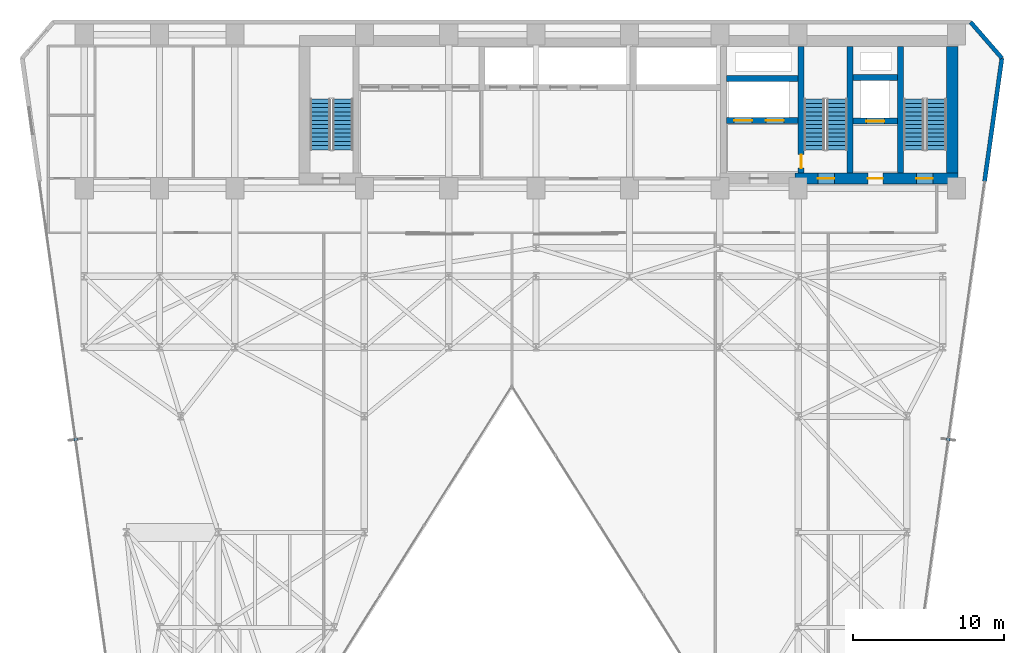
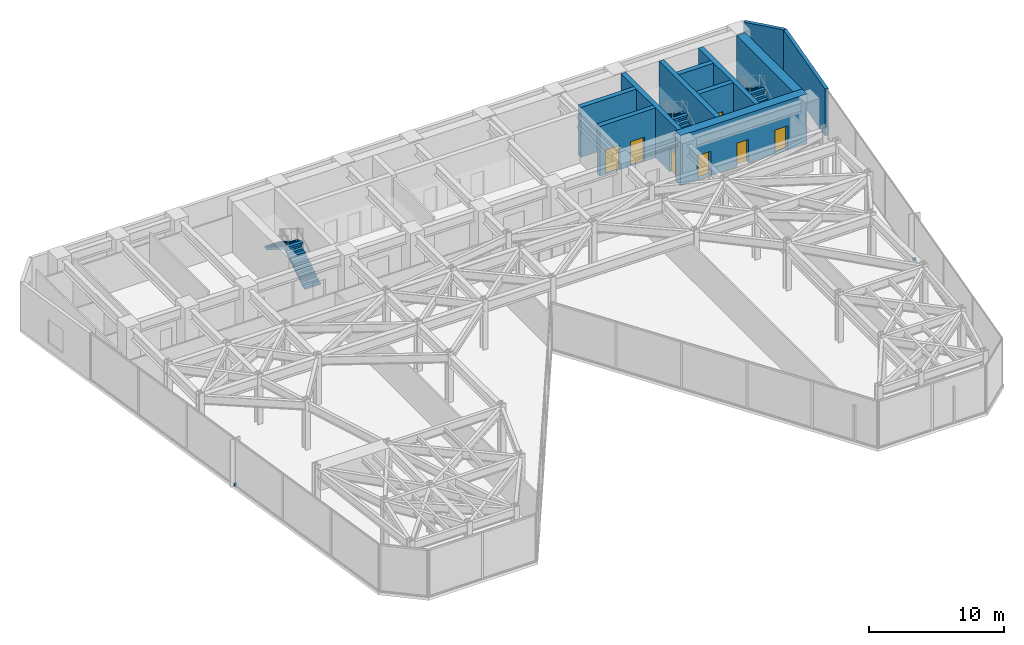
# One storey, part 25 of 28: 11 walls, 7 doors, 6 stair flights, 2 discrete accessories, 7 openings, 3 elements without a shape of their own.
"""IFC4 building model written with IfcOpenShell, lengths in metres."""

from ifc_helpers import new_model, si_unit, direction, frame, frame_2d, origin, origin_2d, place, context, subcontext, project, spatial, polyline, rectangle, outline, extrude, material, layer, layer_set, type_object, element, fill, aggregate, save


model = new_model("IFC4")

# Units and contexts
model_context = context("Model", 3, precision=1e-05, world=origin(), true_north=direction((0.0, 1.0)))
body_context = subcontext(model_context, "Body", "Model", "MODEL_VIEW")
ifc_project = project(units=[si_unit("LENGTHUNIT", "METRE"), si_unit("AREAUNIT", "SQUARE_METRE"), si_unit("VOLUMEUNIT", "CUBIC_METRE"), si_unit("PLANEANGLEUNIT", "RADIAN"), si_unit("MASSUNIT", "GRAM", prefix="KILO")], contexts=[model_context])

# Site, building, storey
site_placement = place(None, origin())
site = spatial("IfcSite", under=ifc_project, at=site_placement, CompositionType="ELEMENT")
building_placement = place(site_placement, origin())
building = spatial("IfcBuilding", under=site, at=building_placement, Name="Kravanh Interchange Tower", CompositionType="ELEMENT")
storey_placement = place(building_placement, frame((0.0, 0.0, 91.5)))
storey = spatial("IfcBuildingStorey", under=building, at=storey_placement, Name="L21", CompositionType="ELEMENT", Elevation=91.5)

# Walls
ifc_material_1 = material(Name="Concrete C80/95", Category="concrete")
ifc_layer_1 = layer(ifc_material_1, 0.39990234375)
ifc_layer_set_1 = layer_set([ifc_layer_1], Name="Core Shear Wall Concrete C80/95 400mm")
wall_type_1 = type_object("IfcWallType", Name="Core Shear Wall Concrete C80/95 400mm", PredefinedType="SHEAR", material=ifc_layer_set_1)
for number, where, z_axis, x_axis, name in (
    (1, (62.800048828125, 38.375, 0.0), (0.0, 0.0, 1.0), (0.0, 1.0, 0.0), "L21 Stair ST1 West Shear Wall"),
    (2, (59.449951171875, 38.375, 0.0), (0.0, 0.0, 1.0), (0.0, 1.0, 0.0), "L21 Stair ST2 East Shear Wall"),
):
    element("IfcWall", number, at=place(storey_placement, frame(where, z_axis=z_axis, x_axis=x_axis)), inside=storey, type_object=wall_type_1, Name=name, PredefinedType="SHEAR", context=body_context, shape_type="SweptSolid", body=[
        extrude(rectangle(XDim=8.375, YDim=0.39990234375, at=frame_2d((4.1875, 0.0))), origin(), (0.0, 0.0, 1.0), 4.5),
    ])

# Wall, opening, door
wall_1_placement = place(storey_placement, frame((56.199951171875, 38.375, 0.0), z_axis=(0.0, 0.0, 1.0), x_axis=(0.0, 1.0, 0.0)))
wall_1 = element("IfcWall", 3, at=wall_1_placement, inside=storey, type_object=wall_type_1, Name="L21 Stair ST2 West Shear Wall", PredefinedType="SHEAR", context=body_context, shape_type="SweptSolid", body=[
    extrude(rectangle(XDim=8.375, YDim=0.39990234375, at=frame_2d((4.1875, 0.0))), origin(), (0.0, 0.0, 1.0), 4.5),
])
opening_1_placement = place(wall_1_placement, frame((0.304931640625, 0.0, 0.0)))
opening_1 = element("IfcOpeningElement", 4, at=opening_1_placement, cuts=wall_1, Name="Opening D-STAIR-90", PredefinedType="OPENING", context=body_context, shape_type="SweptSolid", body=[
    extrude(rectangle(XDim=0.89990234375, YDim=2.14990234375, at=frame_2d((0.449951171875, 1.074951171875))), frame((0.0, 0.2099609375, 0.0), z_axis=(0.0, -1.0, 0.0), x_axis=(1.0, 0.0, 0.0)), (0.0, 0.0, 1.0), 0.419921875),
])
ifc_material_2 = material(Name="Structural Steel S355", Category="steel")
door_type_1 = type_object("IfcDoorType", Name="Fire-Rated Stair Lobby Door 900x2150", OperationType="NOTDEFINED", PredefinedType="DOOR", material=ifc_material_2)
door_1_placement = place(opening_1_placement, origin())
door_1 = element("IfcDoor", 5, at=door_1_placement, inside=storey, type_object=door_type_1, Name="L21 Firefighting Lobby to Stair ST2 Door", OperationType="SINGLE_SWING_LEFT", OverallHeight=2.14990234375, OverallWidth=0.89990234375, PredefinedType="DOOR", context=body_context, shape_type="SweptSolid", body=[
    extrude(rectangle(XDim=0.89990234375, YDim=2.14990234375, at=frame_2d((0.449951171875, 1.074951171875))), frame((0.0, 0.02490234375, 0.0), z_axis=(0.0, -1.0, 0.0), x_axis=(1.0, 0.0, 0.0)), (0.0, 0.0, 1.0), 0.050048828125),
])
fill(opening_1, door_1)

wall_2_placement = place(storey_placement, frame((59.64990234375, 41.800048828125, 0.0), z_axis=(0.0, 0.0, 1.0), x_axis=(1.0, 0.0, 0.0)))
wall_2 = element("IfcWall", 6, at=wall_2_placement, inside=storey, type_object=wall_type_1, Name="L21 Service Lift Shaft South Wall", PredefinedType="SHEAR", context=body_context, shape_type="SweptSolid", body=[
    extrude(rectangle(XDim=2.9501953125, YDim=0.39990234375, at=frame_2d((1.47509765625, 0.0))), origin(), (0.0, 0.0, 1.0), 4.5),
])
opening_2_placement = place(wall_2_placement, frame((0.8701171875, 0.0, 0.0)))
opening_2 = element("IfcOpeningElement", 7, at=opening_2_placement, cuts=wall_2, Name="Opening LD02", PredefinedType="OPENING", context=body_context, shape_type="SweptSolid", body=[
    extrude(rectangle(XDim=1.199951171875, YDim=2.199951171875, at=frame_2d((0.60009765625, 1.10009765625))), frame((0.0, 0.2099609375, 0.0), z_axis=(0.0, -1.0, 0.0), x_axis=(1.0, 0.0, 0.0)), (0.0, 0.0, 1.0), 0.419921875),
])
ifc_material_3 = material(Name="Stainless Steel 316", Category="steel")
door_type_2 = type_object("IfcDoorType", Name="Fire and Service Lift Sliding Landing Door 1200x2200", OperationType="DOUBLE_DOOR_SLIDING", PredefinedType="DOOR", material=ifc_material_3)
door_2_placement = place(opening_2_placement, origin())
door_2 = element("IfcDoor", 8, at=door_2_placement, inside=storey, type_object=door_type_2, Name="L21 Lift LS-01 Landing Door", OperationType="DOUBLE_DOOR_SLIDING", OverallHeight=2.199951171875, OverallWidth=1.199951171875, PredefinedType="DOOR", context=body_context, shape_type="SweptSolid", body=[
    extrude(rectangle(XDim=1.199951171875, YDim=2.199951171875, at=frame_2d((0.60009765625, 1.10009765625))), frame((0.0, 0.02490234375, 0.0), z_axis=(0.0, -1.0, 0.0), x_axis=(1.0, 0.0, 0.0)), (0.0, 0.0, 1.0), 0.050048828125),
])
fill(opening_2, door_2)

# Wall
wall_3_placement = place(storey_placement, frame((59.64990234375, 44.699951171875, 0.0), z_axis=(0.0, 0.0, 1.0), x_axis=(1.0, 0.0, 0.0)))
element("IfcWall", 9, at=wall_3_placement, inside=storey, type_object=wall_type_1, Name="L21 Service Lift Shaft North Wall", PredefinedType="SHEAR", context=body_context, shape_type="SweptSolid", body=[
    extrude(rectangle(XDim=2.9501953125, YDim=0.39990234375, at=frame_2d((1.47509765625, 0.0))), origin(), (0.0, 0.0, 1.0), 4.5),
])

# Wall, openings, doors
wall_4_placement = place(storey_placement, frame((51.25, 41.85009765625, 0.0), z_axis=(0.0, 0.0, 1.0), x_axis=(1.0, 0.0, 0.0)))
wall_4 = element("IfcWall", 10, at=wall_4_placement, inside=storey, type_object=wall_type_1, Name="L21 Fire Lift Shaft South Wall", PredefinedType="SHEAR", context=body_context, shape_type="SweptSolid", body=[
    extrude(rectangle(XDim=4.75, YDim=0.39990234375, at=frame_2d((2.375, 0.0))), origin(), (0.0, 0.0, 1.0), 4.5),
])
opening_3_placement = place(wall_4_placement, frame((0.5, 0.0, 0.0)))
opening_3 = element("IfcOpeningElement", 11, at=opening_3_placement, cuts=wall_4, Name="Opening LD02", PredefinedType="OPENING", context=body_context, shape_type="SweptSolid", body=[
    extrude(rectangle(XDim=1.199951171875, YDim=2.199951171875, at=frame_2d((0.60009765625, 1.10009765625))), frame((0.0, 0.2099609375, 0.0), z_axis=(0.0, -1.0, 0.0), x_axis=(1.0, 0.0, 0.0)), (0.0, 0.0, 1.0), 0.419921875),
])
opening_4_placement = place(wall_4_placement, frame((2.60009765625, 0.0, 0.0)))
opening_4 = element("IfcOpeningElement", 12, at=opening_4_placement, cuts=wall_4, Name="Opening LD02", PredefinedType="OPENING", context=body_context, shape_type="SweptSolid", body=[
    extrude(rectangle(XDim=1.199951171875, YDim=2.199951171875, at=frame_2d((0.60009765625, 1.10009765625))), frame((0.0, 0.2099609375, 0.0), z_axis=(0.0, -1.0, 0.0), x_axis=(1.0, 0.0, 0.0)), (0.0, 0.0, 1.0), 0.419921875),
])
door_3_placement = place(opening_3_placement, origin())
door_3 = element("IfcDoor", 13, at=door_3_placement, inside=storey, type_object=door_type_2, Name="L21 Lift FSAE-01 Landing Door", OperationType="DOUBLE_DOOR_SLIDING", OverallHeight=2.199951171875, OverallWidth=1.199951171875, PredefinedType="DOOR", context=body_context, shape_type="SweptSolid", body=[
    extrude(rectangle(XDim=1.199951171875, YDim=2.199951171875, at=frame_2d((0.60009765625, 1.10009765625))), frame((0.0, 0.02490234375, 0.0), z_axis=(0.0, -1.0, 0.0), x_axis=(1.0, 0.0, 0.0)), (0.0, 0.0, 1.0), 0.050048828125),
])
fill(opening_3, door_3)
door_4_placement = place(opening_4_placement, origin())
door_4 = element("IfcDoor", 14, at=door_4_placement, inside=storey, type_object=door_type_2, Name="L21 Lift FSAE-02 Landing Door", OperationType="DOUBLE_DOOR_SLIDING", OverallHeight=2.199951171875, OverallWidth=1.199951171875, PredefinedType="DOOR", context=body_context, shape_type="SweptSolid", body=[
    extrude(rectangle(XDim=1.199951171875, YDim=2.199951171875, at=frame_2d((0.60009765625, 1.10009765625))), frame((0.0, 0.02490234375, 0.0), z_axis=(0.0, -1.0, 0.0), x_axis=(1.0, 0.0, 0.0)), (0.0, 0.0, 1.0), 0.050048828125),
])
fill(opening_4, door_4)

# Wall
wall_5_placement = place(storey_placement, frame((51.25, 44.64990234375, 0.0), z_axis=(0.0, 0.0, 1.0), x_axis=(1.0, 0.0, 0.0)))
element("IfcWall", 15, at=wall_5_placement, inside=storey, type_object=wall_type_1, Name="L21 Fire Lift Shaft North Wall", PredefinedType="SHEAR", context=body_context, shape_type="SweptSolid", body=[
    extrude(rectangle(XDim=4.75, YDim=0.39990234375, at=frame_2d((2.375, 0.0))), origin(), (0.0, 0.0, 1.0), 4.5),
])

# Wall, openings, doors
ifc_material_4 = material(Name="Concrete C80/95", Category="concrete")
ifc_layer_2 = layer(ifc_material_4, 0.75)
ifc_layer_set_2 = layer_set([ifc_layer_2], Name="Core Shear Wall Concrete C80/95 750mm")
wall_type_2 = type_object("IfcWallType", Name="Core Shear Wall Concrete C80/95 750mm", PredefinedType="SHEAR", material=ifc_layer_set_2)
wall_6_placement = place(storey_placement, frame((55.800048828125, 38.0, 0.0), z_axis=(0.0, 0.0, 1.0), x_axis=(1.0, 0.0, 0.0)))
wall_6 = element("IfcWall", 16, at=wall_6_placement, inside=storey, type_object=wall_type_2, Name="L21 East Core South Shear Wall", PredefinedType="SHEAR", context=body_context, shape_type="SweptSolid", body=[
    extrude(rectangle(XDim=10.800048828125, YDim=0.75, at=frame_2d((5.39990234375, 0.0))), origin(), (0.0, 0.0, 1.0), 4.5),
])
opening_5_placement = place(wall_6_placement, frame((1.5, 0.0, 0.0)))
opening_5 = element("IfcOpeningElement", 17, at=opening_5_placement, cuts=wall_6, Name="Opening D-STAIR-110", PredefinedType="OPENING", context=body_context, shape_type="SweptSolid", body=[
    extrude(rectangle(XDim=1.10009765625, YDim=2.199951171875, at=frame_2d((0.550048828125, 1.10009765625))), frame((0.0, 0.385009765625, 0.0), z_axis=(0.0, -1.0, 0.0), x_axis=(1.0, 0.0, 0.0)), (0.0, 0.0, 1.0), 0.77001953125),
])
opening_6_placement = place(wall_6_placement, frame((4.820068359375, 0.0, 0.0)))
opening_6 = element("IfcOpeningElement", 18, at=opening_6_placement, cuts=wall_6, Name="Opening D-HOTEL-100", PredefinedType="OPENING", context=body_context, shape_type="SweptSolid", body=[
    extrude(rectangle(XDim=1.0, YDim=2.14990234375, at=frame_2d((0.5, 1.074951171875))), frame((0.0, 0.385009765625, 0.0), z_axis=(0.0, -1.0, 0.0), x_axis=(1.0, 0.0, 0.0)), (0.0, 0.0, 1.0), 0.77001953125),
])
opening_7_placement = place(wall_6_placement, frame((8.050048828125, 0.0, 0.0)))
opening_7 = element("IfcOpeningElement", 19, at=opening_7_placement, cuts=wall_6, Name="Opening D-STAIR-110", PredefinedType="OPENING", context=body_context, shape_type="SweptSolid", body=[
    extrude(rectangle(XDim=1.10009765625, YDim=2.199951171875, at=frame_2d((0.550048828125, 1.10009765625))), frame((0.0, 0.385009765625, 0.0), z_axis=(0.0, -1.0, 0.0), x_axis=(1.0, 0.0, 0.0)), (0.0, 0.0, 1.0), 0.77001953125),
])
ifc_material_5 = material(Name="Structural Steel S355", Category="steel")
door_type_3 = type_object("IfcDoorType", Name="Fire-Rated Exit Stair Door 1100x2200", OperationType="NOTDEFINED", PredefinedType="DOOR", material=ifc_material_5)
door_5_placement = place(opening_5_placement, origin())
door_5 = element("IfcDoor", 20, at=door_5_placement, inside=storey, type_object=door_type_3, Name="L21 Exit Stair ST2 Door", OperationType="SINGLE_SWING_RIGHT", OverallHeight=2.199951171875, OverallWidth=1.10009765625, PredefinedType="DOOR", context=body_context, shape_type="SweptSolid", body=[
    extrude(rectangle(XDim=1.10009765625, YDim=2.199951171875, at=frame_2d((0.550048828125, 1.10009765625))), frame((0.0, 0.02490234375, 0.0), z_axis=(0.0, -1.0, 0.0), x_axis=(1.0, 0.0, 0.0)), (0.0, 0.0, 1.0), 0.050048828125),
])
fill(opening_5, door_5)
door_6_placement = place(opening_7_placement, origin())
door_6 = element("IfcDoor", 21, at=door_6_placement, inside=storey, type_object=door_type_3, Name="L21 Exit Stair ST1 Door", OperationType="SINGLE_SWING_RIGHT", OverallHeight=2.199951171875, OverallWidth=1.10009765625, PredefinedType="DOOR", context=body_context, shape_type="SweptSolid", body=[
    extrude(rectangle(XDim=1.10009765625, YDim=2.199951171875, at=frame_2d((0.550048828125, 1.10009765625))), frame((0.0, 0.02490234375, 0.0), z_axis=(0.0, -1.0, 0.0), x_axis=(1.0, 0.0, 0.0)), (0.0, 0.0, 1.0), 0.050048828125),
])
fill(opening_7, door_6)
ifc_material_6 = material(Name="Fire-Rated Solid Timber Leaf", Category="wood")
door_type_4 = type_object("IfcDoorType", Name="Fire-Rated Suite Entrance Door 1000x2150", OperationType="NOTDEFINED", PredefinedType="DOOR", material=ifc_material_6)
door_7_placement = place(opening_6_placement, origin())
door_7 = element("IfcDoor", 22, at=door_7_placement, inside=storey, type_object=door_type_4, Name="L21 Service Lift Lobby Door", OperationType="SINGLE_SWING_RIGHT", OverallHeight=2.14990234375, OverallWidth=1.0, PredefinedType="DOOR", context=body_context, shape_type="SweptSolid", body=[
    extrude(rectangle(XDim=1.0, YDim=2.14990234375, at=frame_2d((0.5, 1.074951171875))), frame((0.0, 0.02490234375, 0.0), z_axis=(0.0, -1.0, 0.0), x_axis=(1.0, 0.0, 0.0)), (0.0, 0.0, 1.0), 0.050048828125),
])
fill(opening_6, door_7)

# Walls
wall_7_placement = place(storey_placement, frame((66.22509765625, 38.375, 0.0), z_axis=(0.0, 0.0, 1.0), x_axis=(0.0, 1.0, 0.0)))
element("IfcWall", 23, at=wall_7_placement, inside=storey, type_object=wall_type_2, Name="L21 Stair ST1 East Shear Wall", PredefinedType="SHEAR", context=body_context, shape_type="SweptSolid", body=[
    extrude(rectangle(XDim=8.375, YDim=0.75, at=frame_2d((4.1875, 0.0))), origin(), (0.0, 0.0, 1.0), 4.5),
])
ifc_material_7 = material(Name="Insulated Precast Concrete C40/50 with Bronze Cladding", Category="concrete")
ifc_layer_3 = layer(ifc_material_7, 0.280029296875)
ifc_layer_set_3 = layer_set([ifc_layer_3], Name="Exterior Insulated Concrete C40/50 Bronze Spandrel Wall 280mm")
wall_type_3 = type_object("IfcWallType", Name="Exterior Insulated Concrete C40/50 Bronze Spandrel Wall 280mm", PredefinedType="STANDARD", material=ifc_layer_set_3)
wall_8_placement = place(storey_placement, frame((67.4453125, 48.3798828125, 0.0), z_axis=(0.0, 0.0, 1.0), x_axis=(0.656070053895, -0.754699996278, 0.0)))
element("IfcWall", 24, at=wall_8_placement, inside=storey, type_object=wall_type_3, Name="L21 Exterior Wall 4", PredefinedType="STANDARD", context=body_context, shape_type="SweptSolid", body=[
    extrude(rectangle(XDim=3.1708984375, YDim=0.280029296875, at=frame_2d((1.58544921875, 0.0))), origin(), (0.0, 0.0, 1.0), 4.25),
])
wall_9_placement = place(storey_placement, frame((69.525634765625, 45.98681640625, 0.0), z_axis=(0.0, 0.0, 1.0), x_axis=(-0.139180172484, -0.990267074878, 0.0)))
element("IfcWall", 25, at=wall_9_placement, inside=storey, type_object=wall_type_3, Name="L21 Exterior Wall 5", PredefinedType="STANDARD", context=body_context, shape_type="SweptSolid", body=[
    extrude(rectangle(XDim=8.267333984375, YDim=0.280029296875, at=frame_2d((4.1337890625, 0.0))), origin(), (0.0, 0.0, 1.0), 4.25),
])

# Stair, stair flights
ifc_material_8 = material(Name="Concrete C50/60", Category="concrete")
stair_type = type_object("IfcStairType", Name="Core Fire Exit Dogleg Stair Concrete C50/60", PredefinedType="HALF_TURN_STAIR", material=ifc_material_8)
stair_1_placement = place(storey_placement, origin())
stair_1 = element("IfcStair", 26, at=stair_1_placement, inside=storey, type_object=stair_type, Name="L21 Exit Stair ST1", PredefinedType="HALF_TURN_STAIR")
ifc_material_9 = material(Name="Precast Concrete C50/60", Category="concrete")
ifc_layer_4 = layer(ifc_material_9, 0.199951171875)
ifc_layer_set_4 = layer_set([ifc_layer_4], Name="Precast Concrete C50/60 Stair Flight 1350mm")
stair_flight_type = type_object("IfcStairFlightType", Name="Precast Concrete C50/60 Stair Flight 1350mm", PredefinedType="STRAIGHT", material=ifc_layer_set_4)
stair_flight_1_placement = place(storey_placement, frame((65.175048828125, 39.89990234375, 0.0), z_axis=(0.0, 0.0, 1.0), x_axis=(0.0, 1.0, 0.0)))
stair_flight_1 = element("IfcStairFlight", 27, at=stair_flight_1_placement, type_object=stair_flight_type, Name="ST1 flight 1", NumberOfRisers=13, NumberOfTreads=12, PredefinedType="STRAIGHT", RiserHeight=0.173076923, TreadLength=0.28, context=body_context, shape_type="SweptSolid", body=[
    extrude(outline(polyline([(0.0, 0.0), (0.0, 0.173095703125), (0.280029296875, 0.173095703125), (0.280029296875, 0.34619140625), (0.56005859375, 0.34619140625), (0.56005859375, 0.519287109375), (0.840087890625, 0.519287109375), (0.840087890625, 0.6923828125), (1.1201171875, 0.6923828125), (1.1201171875, 0.865478515625), (1.39990234375, 0.865478515625), (1.39990234375, 1.03857421875), (1.679931640625, 1.03857421875), (1.679931640625, 1.21142578125), (1.9599609375, 1.21142578125), (1.9599609375, 1.384521484375), (2.239990234375, 1.384521484375), (2.239990234375, 1.5576171875), (2.52001953125, 1.5576171875), (2.52001953125, 1.730712890625), (2.800048828125, 1.730712890625), (2.800048828125, 1.90380859375), (3.080078125, 1.90380859375), (3.080078125, 2.076904296875), (3.360107421875, 2.076904296875), (3.360107421875, 2.25), (3.360107421875, 1.900634765625), (0.28515625, 0.0), (0.0, 0.0)])), frame((0.0, 0.675048828125, 0.0), z_axis=(0.0, -1.0, 0.0), x_axis=(1.0, 0.0, 0.0)), (0.0, 0.0, 1.0), 1.35009765625),
])
stair_flight_2_placement = place(storey_placement, frame((63.675048828125, 43.260009765625, 2.25), z_axis=(0.0, 0.0, 1.0), x_axis=(0.0, -1.0, 0.0)))
stair_flight_2 = element("IfcStairFlight", 28, at=stair_flight_2_placement, type_object=stair_flight_type, Name="ST1 flight 2", NumberOfRisers=13, NumberOfTreads=12, PredefinedType="STRAIGHT", RiserHeight=0.173076923, TreadLength=0.28, context=body_context, shape_type="SweptSolid", body=[
    extrude(outline(polyline([(0.0, 0.0), (0.0, 0.173095703125), (0.280029296875, 0.173095703125), (0.280029296875, 0.34619140625), (0.56005859375, 0.34619140625), (0.56005859375, 0.519287109375), (0.840087890625, 0.519287109375), (0.840087890625, 0.6923828125), (1.1201171875, 0.6923828125), (1.1201171875, 0.865478515625), (1.39990234375, 0.865478515625), (1.39990234375, 1.03857421875), (1.679931640625, 1.03857421875), (1.679931640625, 1.21142578125), (1.9599609375, 1.21142578125), (1.9599609375, 1.384521484375), (2.239990234375, 1.384521484375), (2.239990234375, 1.5576171875), (2.52001953125, 1.5576171875), (2.52001953125, 1.730712890625), (2.800048828125, 1.730712890625), (2.800048828125, 1.90380859375), (3.080078125, 1.90380859375), (3.080078125, 2.076904296875), (3.360107421875, 2.076904296875), (3.360107421875, 2.25), (3.360107421875, 1.900634765625), (0.28515625, 0.0), (0.0, 0.0)])), frame((0.0, 0.675048828125, 0.0), z_axis=(0.0, -1.0, 0.0), x_axis=(1.0, 0.0, 0.0)), (0.0, 0.0, 1.0), 1.35009765625),
])
aggregate(stair_1, [stair_flight_1, stair_flight_2])

stair_2_placement = place(storey_placement, origin())
stair_2 = element("IfcStair", 29, at=stair_2_placement, inside=storey, type_object=stair_type, Name="L21 Exit Stair ST2", PredefinedType="HALF_TURN_STAIR")
stair_flight_3_placement = place(storey_placement, frame((58.574951171875, 39.89990234375, 0.0), z_axis=(0.0, 0.0, 1.0), x_axis=(0.0, 1.0, 0.0)))
stair_flight_3 = element("IfcStairFlight", 30, at=stair_flight_3_placement, type_object=stair_flight_type, Name="ST2 flight 1", NumberOfRisers=13, NumberOfTreads=12, PredefinedType="STRAIGHT", RiserHeight=0.173076923, TreadLength=0.28, context=body_context, shape_type="SweptSolid", body=[
    extrude(outline(polyline([(0.0, 0.0), (0.0, 0.173095703125), (0.280029296875, 0.173095703125), (0.280029296875, 0.34619140625), (0.56005859375, 0.34619140625), (0.56005859375, 0.519287109375), (0.840087890625, 0.519287109375), (0.840087890625, 0.6923828125), (1.1201171875, 0.6923828125), (1.1201171875, 0.865478515625), (1.39990234375, 0.865478515625), (1.39990234375, 1.03857421875), (1.679931640625, 1.03857421875), (1.679931640625, 1.21142578125), (1.9599609375, 1.21142578125), (1.9599609375, 1.384521484375), (2.239990234375, 1.384521484375), (2.239990234375, 1.5576171875), (2.52001953125, 1.5576171875), (2.52001953125, 1.730712890625), (2.800048828125, 1.730712890625), (2.800048828125, 1.90380859375), (3.080078125, 1.90380859375), (3.080078125, 2.076904296875), (3.360107421875, 2.076904296875), (3.360107421875, 2.25), (3.360107421875, 1.900634765625), (0.28515625, 0.0), (0.0, 0.0)])), frame((0.0, 0.675048828125, 0.0), z_axis=(0.0, -1.0, 0.0), x_axis=(1.0, 0.0, 0.0)), (0.0, 0.0, 1.0), 1.35009765625),
])
stair_flight_4_placement = place(storey_placement, frame((57.074951171875, 43.260009765625, 2.25), z_axis=(0.0, 0.0, 1.0), x_axis=(0.0, -1.0, 0.0)))
stair_flight_4 = element("IfcStairFlight", 31, at=stair_flight_4_placement, type_object=stair_flight_type, Name="ST2 flight 2", NumberOfRisers=13, NumberOfTreads=12, PredefinedType="STRAIGHT", RiserHeight=0.173076923, TreadLength=0.28, context=body_context, shape_type="SweptSolid", body=[
    extrude(outline(polyline([(0.0, 0.0), (0.0, 0.173095703125), (0.280029296875, 0.173095703125), (0.280029296875, 0.34619140625), (0.56005859375, 0.34619140625), (0.56005859375, 0.519287109375), (0.840087890625, 0.519287109375), (0.840087890625, 0.6923828125), (1.1201171875, 0.6923828125), (1.1201171875, 0.865478515625), (1.39990234375, 0.865478515625), (1.39990234375, 1.03857421875), (1.679931640625, 1.03857421875), (1.679931640625, 1.21142578125), (1.9599609375, 1.21142578125), (1.9599609375, 1.384521484375), (2.239990234375, 1.384521484375), (2.239990234375, 1.5576171875), (2.52001953125, 1.5576171875), (2.52001953125, 1.730712890625), (2.800048828125, 1.730712890625), (2.800048828125, 1.90380859375), (3.080078125, 1.90380859375), (3.080078125, 2.076904296875), (3.360107421875, 2.076904296875), (3.360107421875, 2.25), (3.360107421875, 1.900634765625), (0.28515625, 0.0), (0.0, 0.0)])), frame((0.0, 0.675048828125, 0.0), z_axis=(0.0, -1.0, 0.0), x_axis=(1.0, 0.0, 0.0)), (0.0, 0.0, 1.0), 1.35009765625),
])
aggregate(stair_2, [stair_flight_3, stair_flight_4])

stair_3_placement = place(storey_placement, origin())
stair_3 = element("IfcStair", 32, at=stair_3_placement, inside=storey, type_object=stair_type, Name="L21 Exit Stair ST3", PredefinedType="HALF_TURN_STAIR")
stair_flight_5_placement = place(storey_placement, frame((25.77490234375, 39.89990234375, 0.0), z_axis=(0.0, 0.0, 1.0), x_axis=(0.0, 1.0, 0.0)))
stair_flight_5 = element("IfcStairFlight", 33, at=stair_flight_5_placement, type_object=stair_flight_type, Name="ST3 flight 1", NumberOfRisers=13, NumberOfTreads=12, PredefinedType="STRAIGHT", RiserHeight=0.173076923, TreadLength=0.28, context=body_context, shape_type="SweptSolid", body=[
    extrude(outline(polyline([(0.0, 0.0), (0.0, 0.173095703125), (0.280029296875, 0.173095703125), (0.280029296875, 0.34619140625), (0.56005859375, 0.34619140625), (0.56005859375, 0.519287109375), (0.840087890625, 0.519287109375), (0.840087890625, 0.6923828125), (1.1201171875, 0.6923828125), (1.1201171875, 0.865478515625), (1.39990234375, 0.865478515625), (1.39990234375, 1.03857421875), (1.679931640625, 1.03857421875), (1.679931640625, 1.21142578125), (1.9599609375, 1.21142578125), (1.9599609375, 1.384521484375), (2.239990234375, 1.384521484375), (2.239990234375, 1.5576171875), (2.52001953125, 1.5576171875), (2.52001953125, 1.730712890625), (2.800048828125, 1.730712890625), (2.800048828125, 1.90380859375), (3.080078125, 1.90380859375), (3.080078125, 2.076904296875), (3.360107421875, 2.076904296875), (3.360107421875, 2.25), (3.360107421875, 1.900634765625), (0.28515625, 0.0), (0.0, 0.0)])), frame((0.0, 0.675048828125, 0.0), z_axis=(0.0, -1.0, 0.0), x_axis=(1.0, 0.0, 0.0)), (0.0, 0.0, 1.0), 1.35009765625),
])
stair_flight_6_placement = place(storey_placement, frame((24.27490234375, 43.260009765625, 2.25), z_axis=(0.0, 0.0, 1.0), x_axis=(0.0, -1.0, 0.0)))
stair_flight_6 = element("IfcStairFlight", 34, at=stair_flight_6_placement, type_object=stair_flight_type, Name="ST3 flight 2", NumberOfRisers=13, NumberOfTreads=12, PredefinedType="STRAIGHT", RiserHeight=0.173076923, TreadLength=0.28, context=body_context, shape_type="SweptSolid", body=[
    extrude(outline(polyline([(0.0, 0.0), (0.0, 0.173095703125), (0.280029296875, 0.173095703125), (0.280029296875, 0.34619140625), (0.56005859375, 0.34619140625), (0.56005859375, 0.519287109375), (0.840087890625, 0.519287109375), (0.840087890625, 0.6923828125), (1.1201171875, 0.6923828125), (1.1201171875, 0.865478515625), (1.39990234375, 0.865478515625), (1.39990234375, 1.03857421875), (1.679931640625, 1.03857421875), (1.679931640625, 1.21142578125), (1.9599609375, 1.21142578125), (1.9599609375, 1.384521484375), (2.239990234375, 1.384521484375), (2.239990234375, 1.5576171875), (2.52001953125, 1.5576171875), (2.52001953125, 1.730712890625), (2.800048828125, 1.730712890625), (2.800048828125, 1.90380859375), (3.080078125, 1.90380859375), (3.080078125, 2.076904296875), (3.360107421875, 2.076904296875), (3.360107421875, 2.25), (3.360107421875, 1.900634765625), (0.28515625, 0.0), (0.0, 0.0)])), frame((0.0, 0.675048828125, 0.0), z_axis=(0.0, -1.0, 0.0), x_axis=(1.0, 0.0, 0.0)), (0.0, 0.0, 1.0), 1.35009765625),
])
aggregate(stair_3, [stair_flight_5, stair_flight_6])

# Discrete accessories
ifc_material_10 = material(Name="Stainless Steel 316", Category="steel")
discrete_accessory_type = type_object("IfcDiscreteAccessoryType", Name="Solar Fin Curtain-Wall Mounting Bracket Stainless 316", PredefinedType="BRACKET", material=ifc_material_10)
for number, where, z_axis, x_axis, name in (
    (35, (8.03271484375, 20.66845703125, 0.0), (0.0, 0.0, 1.0), (-0.990267798532, -0.139175023587, 0.0), "L21 Solar Fin Mounting Bracket 1"),
    (36, (65.96728515625, 20.66845703125, 0.0), (0.0, 0.0, 1.0), (0.990267798532, -0.139175023587, 0.0), "L21 Solar Fin Mounting Bracket 2"),
):
    element("IfcDiscreteAccessory", number, at=place(storey_placement, frame(where, z_axis=z_axis, x_axis=x_axis)), inside=storey, type_object=discrete_accessory_type, Name=name, PredefinedType="BRACKET", context=body_context, shape_type="SweptSolid", body=[
        extrude(rectangle(XDim=0.239990234375, YDim=0.179931640625, at=origin_2d()), origin(), (0.0, 0.0, 1.0), 0.219970703125),
    ])

save(model, "model.ifc")
